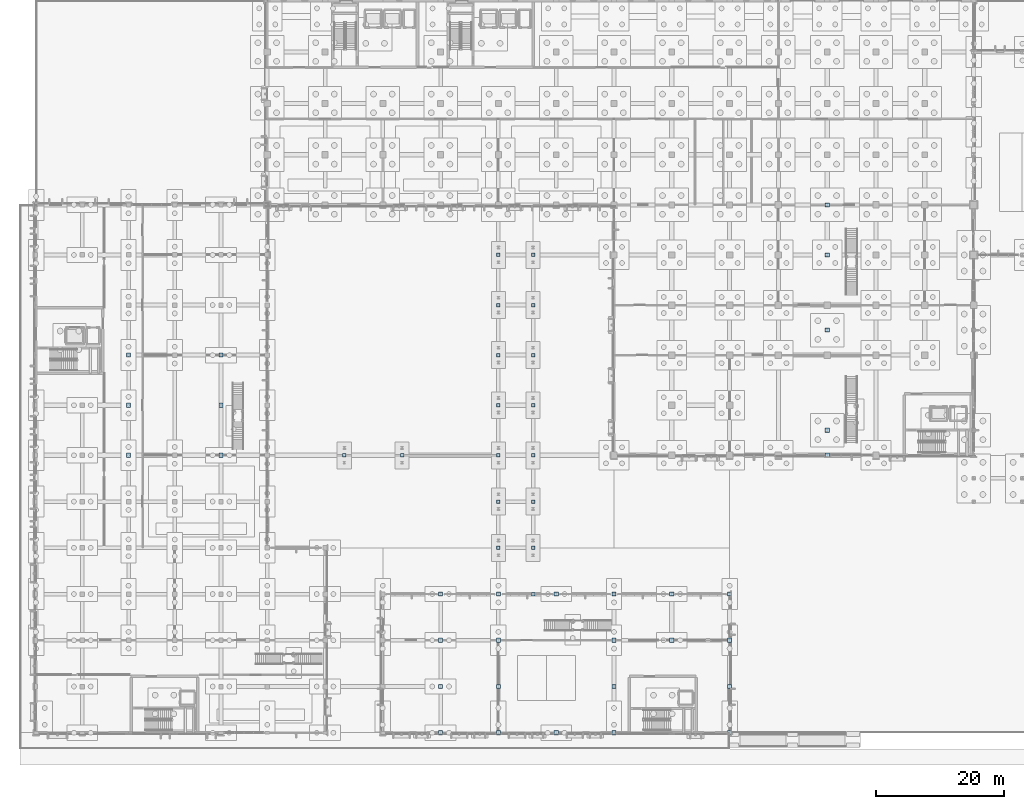
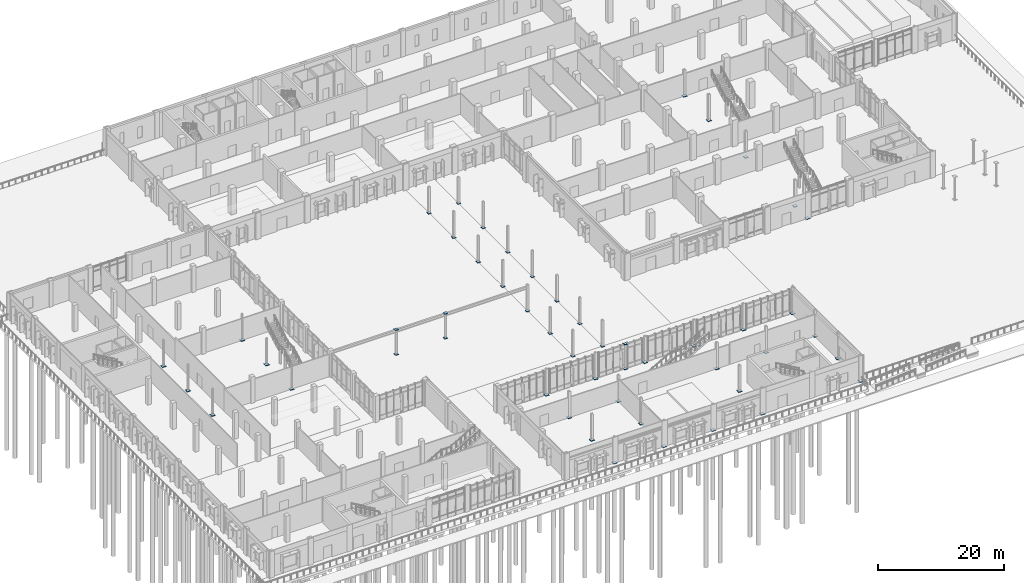
# One storey, part 59 of 94: 51 plates.
"""IFC4 building model written with IfcOpenShell, lengths in metres."""

from ifc_helpers import new_model, si_unit, direction, frame, origin, origin_2d, place, context, subcontext, project, spatial, rectangle, extrude, material, layer, layer_set, type_object, element, save


model = new_model("IFC4")

# Units and contexts
model_context = context("Model", 3, precision=1e-05, world=origin(), true_north=direction((0.0, 1.0)))
body_context = subcontext(model_context, "Body", "Model", "MODEL_VIEW")
ifc_project = project(units=[si_unit("LENGTHUNIT", "METRE"), si_unit("AREAUNIT", "SQUARE_METRE"), si_unit("VOLUMEUNIT", "CUBIC_METRE"), si_unit("PLANEANGLEUNIT", "RADIAN"), si_unit("MASSUNIT", "GRAM", prefix="KILO")], contexts=[model_context])

# Site, building, storey
site_placement = place(None, origin())
site = spatial("IfcSite", under=ifc_project, at=site_placement, CompositionType="ELEMENT")
building_placement = place(site_placement, origin())
building = spatial("IfcBuilding", under=site, at=building_placement, Name="Vervanel Yard Central Library", CompositionType="ELEMENT")
storey_placement = place(building_placement, origin())
storey = spatial("IfcBuildingStorey", under=building, at=storey_placement, Name="L00", CompositionType="ELEMENT", Elevation=0.0)

# Plates
ifc_material = material(Name="Steel ASTM A572 Grade 50", Category="steel")
ifc_layer_1 = layer(ifc_material, 0.030029296875, Category="steel")
ifc_layer_set_1 = layer_set([ifc_layer_1], Name="Steel ASTM A572 Grade 50")
plate_type_1 = type_object("IfcPlateType", Name="Bridge Pier Base Plate 30", PredefinedType="SHEET", material=ifc_layer_set_1)
for number, where, z_axis, x_axis, name in (
    (1, (72.0, 28.800048828125, 0.0), (0.0, 0.0, 1.0), (1.0, 0.0, 0.0), "L00 Column Base Plate 15"),
    (2, (72.0, 36.0, 0.0), (0.0, 0.0, 1.0), (1.0, 0.0, 0.0), "L00 Column Base Plate 16"),
    (3, (72.0, 43.199951171875, 0.0), (0.0, 0.0, 1.0), (1.0, 0.0, 0.0), "L00 Column Base Plate 17"),
    (4, (72.0, 51.0, 0.0), (0.0, 0.0, 1.0), (1.0, 0.0, 0.0), "L00 Column Base Plate 18"),
    (5, (72.0, 58.800048828125, 0.0), (0.0, 0.0, 1.0), (1.0, 0.0, 0.0), "L00 Column Base Plate 19"),
    (6, (72.0, 66.60009765625, 0.0), (0.0, 0.0, 1.0), (1.0, 0.0, 0.0), "L00 Column Base Plate 20"),
    (7, (72.0, 74.39990234375, 0.0), (0.0, 0.0, 1.0), (1.0, 0.0, 0.0), "L00 Column Base Plate 21"),
    (8, (77.39990234375, 28.800048828125, 0.0), (0.0, 0.0, 1.0), (1.0, 0.0, 0.0), "L00 Column Base Plate 22"),
    (9, (77.39990234375, 36.0, 0.0), (0.0, 0.0, 1.0), (1.0, 0.0, 0.0), "L00 Column Base Plate 23"),
    (10, (77.39990234375, 43.199951171875, 0.0), (0.0, 0.0, 1.0), (1.0, 0.0, 0.0), "L00 Column Base Plate 24"),
    (11, (77.39990234375, 51.0, 0.0), (0.0, 0.0, 1.0), (1.0, 0.0, 0.0), "L00 Column Base Plate 25"),
    (12, (77.39990234375, 58.800048828125, 0.0), (0.0, 0.0, 1.0), (1.0, 0.0, 0.0), "L00 Column Base Plate 26"),
    (13, (77.39990234375, 66.60009765625, 0.0), (0.0, 0.0, 1.0), (1.0, 0.0, 0.0), "L00 Column Base Plate 27"),
    (14, (77.39990234375, 74.39990234375, 0.0), (0.0, 0.0, 1.0), (1.0, 0.0, 0.0), "L00 Column Base Plate 28"),
    (15, (77.39990234375, 21.60009765625, 0.0), (0.0, 0.0, 1.0), (1.0, 0.0, 0.0), "L00 Column Base Plate 62"),
    (16, (48.0, 43.199951171875, 0.0), (0.0, 0.0, 1.0), (1.0, 0.0, 0.0), "L00 Column Base Plate 63"),
    (17, (57.0, 43.199951171875, 0.0), (0.0, 0.0, 1.0), (1.0, 0.0, 0.0), "L00 Column Base Plate 64"),
    (18, (77.39990234375, 21.60009765625, 4.7998046875), (0.0, 0.0, 1.0), (1.0, 0.0, 0.0), "L00 HSS Column Top Cap Plate 5"),
    (19, (48.0, 43.199951171875, 4.7998046875), (0.0, 0.0, 1.0), (1.0, 0.0, 0.0), "L00 HSS Column Top Cap Plate 6"),
    (20, (57.0, 43.199951171875, 4.7998046875), (0.0, 0.0, 1.0), (1.0, 0.0, 0.0), "L00 HSS Column Top Cap Plate 7"),
):
    element("IfcPlate", number, at=place(storey_placement, frame(where, z_axis=z_axis, x_axis=x_axis)), inside=storey, type_object=plate_type_1, Name=name, PredefinedType="SHEET", context=body_context, shape_type="SweptSolid", body=[
        extrude(rectangle(XDim=0.550048828125, YDim=0.550048828125, at=origin_2d()), origin(), (0.0, 0.0, 1.0), 0.030029296875),
    ])
ifc_layer_2 = layer(ifc_material, 0.035888671875, Category="steel")
ifc_layer_set_2 = layer_set([ifc_layer_2], Name="Steel ASTM A572 Grade 50")
plate_type_2 = type_object("IfcPlateType", Name="Steel Column Base Plate 36", PredefinedType="SHEET", material=ifc_layer_set_2)
for number, where, z_axis, x_axis, name in (
    (21, (14.39990234375, 43.199951171875, 0.0), (0.0, 0.0, 1.0), (1.0, 0.0, 0.0), "L00 Column Base Plate 1"),
    (22, (14.39990234375, 51.0, 0.0), (0.0, 0.0, 1.0), (1.0, 0.0, 0.0), "L00 Column Base Plate 2"),
    (23, (14.39990234375, 58.800048828125, 0.0), (0.0, 0.0, 1.0), (1.0, 0.0, 0.0), "L00 Column Base Plate 3"),
    (24, (28.800048828125, 43.199951171875, 0.0), (0.0, 0.0, 1.0), (1.0, 0.0, 0.0), "L00 Column Base Plate 4"),
    (25, (28.800048828125, 51.0, 0.0), (0.0, 0.0, 1.0), (1.0, 0.0, 0.0), "L00 Column Base Plate 5"),
    (26, (28.800048828125, 58.800048828125, 0.0), (0.0, 0.0, 1.0), (1.0, 0.0, 0.0), "L00 Column Base Plate 6"),
    (27, (63.0, 0.0, 0.0), (0.0, 0.0, 1.0), (1.0, 0.0, 0.0), "L00 Column Base Plate 7"),
    (28, (63.0, 7.199951171875, 0.0), (0.0, 0.0, 1.0), (1.0, 0.0, 0.0), "L00 Column Base Plate 8"),
    (29, (63.0, 14.39990234375, 0.0), (0.0, 0.0, 1.0), (1.0, 0.0, 0.0), "L00 Column Base Plate 9"),
    (30, (63.0, 21.60009765625, 0.0), (0.0, 0.0, 1.0), (1.0, 0.0, 0.0), "L00 Column Base Plate 10"),
    (31, (72.0, 0.0, 0.0), (0.0, 0.0, 1.0), (1.0, 0.0, 0.0), "L00 Column Base Plate 11"),
    (32, (72.0, 7.199951171875, 0.0), (0.0, 0.0, 1.0), (1.0, 0.0, 0.0), "L00 Column Base Plate 12"),
    (33, (72.0, 14.39990234375, 0.0), (0.0, 0.0, 1.0), (1.0, 0.0, 0.0), "L00 Column Base Plate 13"),
    (34, (72.0, 21.60009765625, 0.0), (0.0, 0.0, 1.0), (1.0, 0.0, 0.0), "L00 Column Base Plate 14"),
    (35, (81.0, 0.0, 0.0), (0.0, 0.0, 1.0), (1.0, 0.0, 0.0), "L00 Column Base Plate 29"),
    (36, (81.0, 21.60009765625, 0.0), (0.0, 0.0, 1.0), (1.0, 0.0, 0.0), "L00 Column Base Plate 30"),
    (37, (90.0, 0.0, 0.0), (0.0, 0.0, 1.0), (1.0, 0.0, 0.0), "L00 Column Base Plate 31"),
    (38, (90.0, 7.199951171875, 0.0), (0.0, 0.0, 1.0), (1.0, 0.0, 0.0), "L00 Column Base Plate 32"),
    (39, (90.0, 14.39990234375, 0.0), (0.0, 0.0, 1.0), (1.0, 0.0, 0.0), "L00 Column Base Plate 33"),
    (40, (90.0, 21.60009765625, 0.0), (0.0, 0.0, 1.0), (1.0, 0.0, 0.0), "L00 Column Base Plate 34"),
    (41, (99.0, 14.39990234375, 0.0), (0.0, 0.0, 1.0), (1.0, 0.0, 0.0), "L00 Column Base Plate 35"),
    (42, (99.0, 21.60009765625, 0.0), (0.0, 0.0, 1.0), (1.0, 0.0, 0.0), "L00 Column Base Plate 36"),
    (43, (108.0, 0.0, 0.0), (0.0, 0.0, 1.0), (1.0, 0.0, 0.0), "L00 Column Base Plate 37"),
    (44, (108.0, 7.199951171875, 0.0), (0.0, 0.0, 1.0), (1.0, 0.0, 0.0), "L00 Column Base Plate 38"),
    (45, (108.0, 14.39990234375, 0.0), (0.0, 0.0, 1.0), (1.0, 0.0, 0.0), "L00 Column Base Plate 39"),
    (46, (108.0, 21.60009765625, 0.0), (0.0, 0.0, 1.0), (1.0, 0.0, 0.0), "L00 Column Base Plate 40"),
    (47, (123.199951171875, 43.199951171875, 0.0), (0.0, 0.0, 1.0), (1.0, 0.0, 0.0), "L00 Column Base Plate 41"),
    (48, (123.199951171875, 74.39990234375, 0.0), (0.0, 0.0, 1.0), (1.0, 0.0, 0.0), "L00 Column Base Plate 42"),
    (49, (123.199951171875, 82.199951171875, 0.0), (0.0, 0.0, 1.0), (1.0, 0.0, 0.0), "L00 Column Base Plate 43"),
    (50, (123.199951171875, 47.10009765625, 0.0), (0.0, 0.0, 1.0), (1.0, 0.0, 0.0), "L00 Column Base Plate 66"),
    (51, (123.199951171875, 62.699951171875, 0.0), (0.0, 0.0, 1.0), (1.0, 0.0, 0.0), "L00 Column Base Plate 68"),
):
    element("IfcPlate", number, at=place(storey_placement, frame(where, z_axis=z_axis, x_axis=x_axis)), inside=storey, type_object=plate_type_2, Name=name, PredefinedType="SHEET", context=body_context, shape_type="SweptSolid", body=[
        extrude(rectangle(XDim=0.64990234375, YDim=0.64990234375, at=origin_2d()), origin(), (0.0, 0.0, 1.0), 0.035888671875),
    ])

save(model, "model.ifc")
